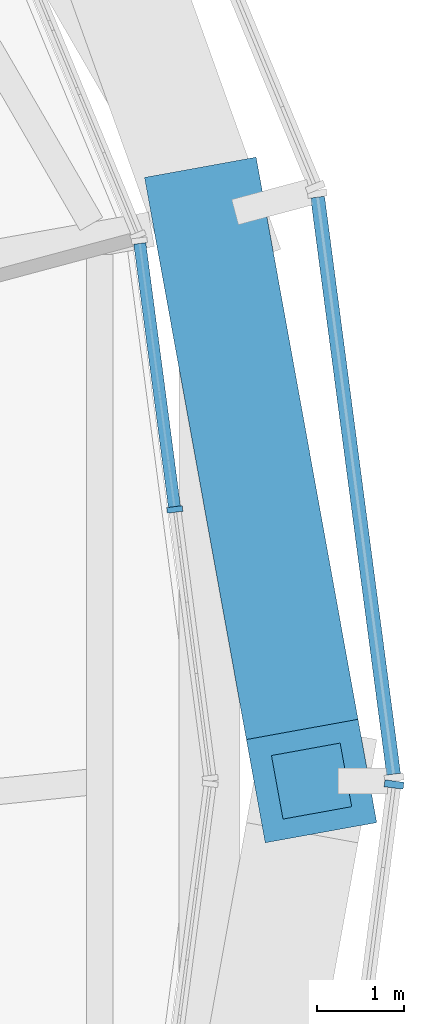
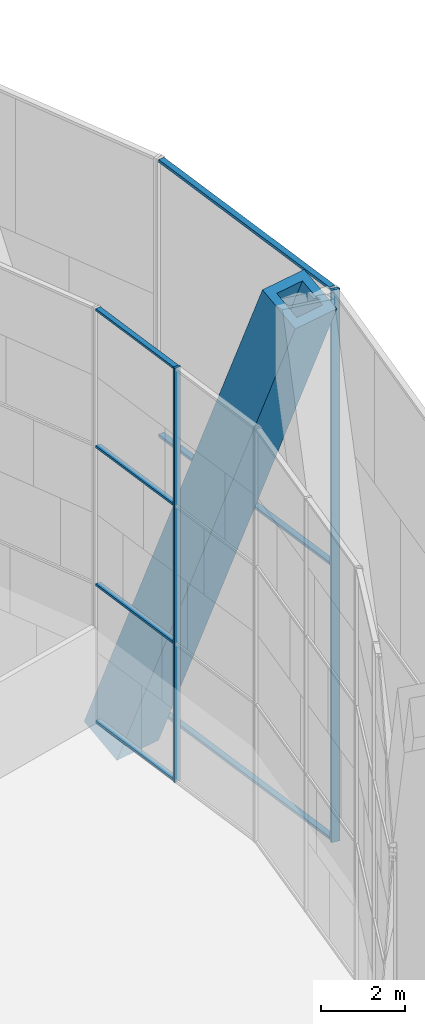
# One storey, part 6 of 26: 10 members, 3 elements without a shape of their own.
"""IFC4 building model written with IfcOpenShell, lengths in metres."""

import ifcopenshell
import ifcopenshell.guid

model = None  # the IFC model being written
_history = None  # IfcOwnerHistory: only IFC2X3 demands one
_inside = {}  # id of a spatial element -> (the spatial element, [elements in it])
_under = {}  # id of a project, library or spatial element -> (it, [spatial elements below it])
_declared = {}  # id of a project -> (the project, [libraries it declares])
_typed = {}  # id of a type object -> (the type object, [elements of that type])
_made_of = {}  # id of a material, layer set ... -> (it, [elements and type objects made of it])


def new_model(schema):
    """Start an empty IFC model of exactly this schema.

    Asked for "IFC4X3", IfcOpenShell would pick the latest addendum, in which some entities
    have other attributes; the version numbers below select the first issue.
    IFC2X3 requires an IfcOwnerHistory on every rooted entity: one is made here for all.
    """
    global model, _history
    if schema == "IFC4X3":
        model = ifcopenshell.file(schema_version=(4, 3, 0, 0))
    else:
        model = ifcopenshell.file(schema=schema)
    _inside.clear()
    _under.clear()
    _declared.clear()
    _typed.clear()
    _made_of.clear()
    _history = None
    if model.schema == "IFC2X3":
        org = make("IfcOrganization", Name="unknown")
        user = make(
            "IfcPersonAndOrganization",
            ThePerson=make("IfcPerson", FamilyName="unknown"),
            TheOrganization=org,
        )
        app = make(
            "IfcApplication",
            ApplicationDeveloper=org,
            Version="unknown",
            ApplicationFullName="unknown",
            ApplicationIdentifier="unknown",
        )
        _history = make(
            "IfcOwnerHistory",
            OwningUser=user,
            OwningApplication=app,
            ChangeAction="ADDED",
            CreationDate=0,
        )
    return model


def make(cls, **values):
    """One entity of the class cls with the attributes given. An attribute that is None is left unset."""
    return model.create_entity(
        cls, **{name: value for name, value in values.items() if value is not None}
    )


def rooted(cls, **values):
    """An entity with a GlobalId (a new one), such as an element, a storey or a relation."""
    return make(cls, GlobalId=ifcopenshell.guid.new(), OwnerHistory=_history, **values)


def si_unit(unit_type, name, prefix=None):
    """IfcSIUnit, for example si_unit("LENGTHUNIT", "METRE", prefix="MILLI")."""
    return make("IfcSIUnit", UnitType=unit_type, Prefix=prefix, Name=name)


def assignment(units):
    """IfcUnitAssignment: the units of a project."""
    return None if units is None else make("IfcUnitAssignment", Units=units)


def point(xyz):
    """IfcCartesianPoint."""
    return None if xyz is None else make("IfcCartesianPoint", Coordinates=xyz)


def direction(xyz):
    """IfcDirection."""
    return None if xyz is None else make("IfcDirection", DirectionRatios=xyz)


def frame(location, z_axis=None, x_axis=None):
    """IfcAxis2Placement3D, a coordinate frame: its origin and axes. An axis left out is left unset."""
    return make(
        "IfcAxis2Placement3D",
        Location=point(location),
        Axis=direction(z_axis),
        RefDirection=direction(x_axis),
    )


def frame_2d(location, x_axis=None):
    """IfcAxis2Placement2D, a coordinate frame in the plane: its origin and x axis."""
    return make(
        "IfcAxis2Placement2D", Location=point(location), RefDirection=direction(x_axis)
    )


def origin():
    """The frame at (0, 0, 0) with its axes left unset."""
    return frame((0.0, 0.0, 0.0))


def origin_2d():
    """The frame at (0, 0) in the plane with its x axis left unset."""
    return frame_2d((0.0, 0.0))


def place(relative_to, where):
    """IfcLocalPlacement: puts the frame where relative to a parent placement (None: the world)."""
    return make(
        "IfcLocalPlacement", PlacementRelTo=relative_to, RelativePlacement=where
    )


def context(
    kind, dimensions, precision=None, world=None, true_north=None, identifier=None
):
    """IfcGeometricRepresentationContext, for example the 3D "Model" context."""
    return make(
        "IfcGeometricRepresentationContext",
        ContextIdentifier=identifier,
        ContextType=kind,
        CoordinateSpaceDimension=dimensions,
        Precision=precision,
        WorldCoordinateSystem=world,
        TrueNorth=true_north,
    )


def subcontext(parent, identifier, kind, view, scale=None):
    """IfcGeometricRepresentationSubContext, for example "Body" below "Model"."""
    return make(
        "IfcGeometricRepresentationSubContext",
        ContextIdentifier=identifier,
        ContextType=kind,
        ParentContext=parent,
        TargetScale=scale,
        TargetView=view,
    )


def project(units=None, contexts=None):
    """IfcProject with its units and contexts."""
    return rooted(
        "IfcProject",
        Name="project",
        RepresentationContexts=contexts,
        UnitsInContext=assignment(units),
    )


def spatial(cls, under=None, at=None, **own):
    """A site, building, storey or space (cls), placed at a placement, below another one or the project."""
    s = rooted(cls, ObjectPlacement=at, **own)
    if under is not None:
        _under.setdefault(under.id(), (under, []))[1].append(s)
    return s


def profile(cls, at=None, kind="AREA", **sizes):
    """A parametric profile (cls). Its sizes go by their IFC names, for example OverallWidth=200.0."""
    return make(cls, ProfileType=kind, Position=at, **sizes)


def rectangle(**sizes):
    """IfcRectangleProfileDef."""
    return profile("IfcRectangleProfileDef", **sizes)


def hollow_rectangle(**sizes):
    """IfcRectangleHollowProfileDef."""
    return profile("IfcRectangleHollowProfileDef", **sizes)


def extrude(swept, where, along, depth):
    """IfcExtrudedAreaSolid: the profile swept, set in the frame where, extruded along a direction by depth."""
    return make(
        "IfcExtrudedAreaSolid",
        SweptArea=swept,
        Position=where,
        ExtrudedDirection=direction(along),
        Depth=depth,
    )


def shape(context_of_items, identifier, shape_type, items):
    """IfcShapeRepresentation: the items that make up one representation, for example the "Body"."""
    return make(
        "IfcShapeRepresentation",
        ContextOfItems=context_of_items,
        RepresentationIdentifier=identifier,
        RepresentationType=shape_type,
        Items=items,
    )


def material(Name=None, Category=None):
    """IfcMaterial."""
    return make("IfcMaterial", Name=Name, Category=Category)


def material_profile(
    of_material, cross_section, Name=None, Category=None, Priority=None
):
    """IfcMaterialProfile: a cross section and its material."""
    return make(
        "IfcMaterialProfile",
        Name=Name,
        Material=of_material,
        Profile=cross_section,
        Priority=Priority,
        Category=Category,
    )


def profile_set(profiles, Name=None, composite=None):
    """IfcMaterialProfileSet."""
    return make(
        "IfcMaterialProfileSet",
        Name=Name,
        MaterialProfiles=profiles,
        CompositeProfile=composite,
    )


def made_of(thing, what):
    """Note that an element or type object is made of a material, layer set ...; save() writes the relation."""
    if what is not None:
        _made_of.setdefault(what.id(), (what, []))[1].append(thing)
    return thing


def type_object(cls, material=None, **own):
    """A type object (cls), such as IfcWallType, which elements share."""
    return made_of(rooted(cls, **own), material)


def element(
    cls,
    number,
    at=None,
    inside=None,
    cuts=None,
    type_object=None,
    material=None,
    context=None,
    identifier="Body",
    shape_type=None,
    held_by="IfcProductDefinitionShape",
    body=None,
    shapes=None,
    **own,
):
    """One element of the class cls, such as IfcWall. Its Tag is "e" and its number.

    at: its placement. inside: the storey or other place that contains it. cuts: it is an
    opening in that element (IfcRelVoidsElement). A single representation is given by context,
    identifier, shape_type and body (its items); several are given by shapes. held_by: the class
    of the entity that holds the representations. save() writes the other relations.
    """
    e = rooted(cls, Tag="e%d" % number, ObjectPlacement=at, **own)
    if body is not None:
        shapes = [shape(context, identifier, shape_type, body)]
    if shapes is not None:
        e.Representation = make(held_by, Representations=shapes)
    if inside is not None:
        _inside.setdefault(inside.id(), (inside, []))[1].append(e)
    if cuts is not None:
        rooted(
            "IfcRelVoidsElement", RelatingBuildingElement=cuts, RelatedOpeningElement=e
        )
    if type_object is not None:
        _typed.setdefault(type_object.id(), (type_object, []))[1].append(e)
    return made_of(e, material)


def aggregate(whole, parts):
    """IfcRelAggregates: a whole, such as a stair, and the parts it consists of."""
    return rooted("IfcRelAggregates", RelatingObject=whole, RelatedObjects=parts)


def save(model, path):
    """Write the relations noted so far, then the file.

    IfcRelAggregates (storeys below a building ...), IfcRelContainedInSpatialStructure (elements
    in a storey), IfcRelDefinesByType, IfcRelAssociatesMaterial and IfcRelDeclares: one each for
    every whole, place, type object, material and project.
    """
    for whole, parts in _under.values():
        aggregate(whole, parts)
    for where, things in _inside.values():
        rooted(
            "IfcRelContainedInSpatialStructure",
            RelatedElements=things,
            RelatingStructure=where,
        )
    for kind, things in _typed.values():
        rooted("IfcRelDefinesByType", RelatedObjects=things, RelatingType=kind)
    for what, things in _made_of.values():
        rooted("IfcRelAssociatesMaterial", RelatedObjects=things, RelatingMaterial=what)
    for by, libraries in _declared.values():
        rooted("IfcRelDeclares", RelatingContext=by, RelatedDefinitions=libraries)
    model.write(path)


model = new_model("IFC4")

# Units and contexts
model_context = context("Model", 3, precision=1e-05, world=origin(), true_north=direction((0.0, 1.0)))
body_context = subcontext(model_context, "Body", "Model", "MODEL_VIEW")
ifc_project = project(units=[si_unit("LENGTHUNIT", "METRE"), si_unit("AREAUNIT", "SQUARE_METRE"), si_unit("VOLUMEUNIT", "CUBIC_METRE"), si_unit("PLANEANGLEUNIT", "RADIAN"), si_unit("MASSUNIT", "GRAM", prefix="KILO")], contexts=[model_context])

# Site, building, storey
site_placement = place(None, origin())
site = spatial("IfcSite", under=ifc_project, at=site_placement, CompositionType="ELEMENT")
building_placement = place(site_placement, origin())
building = spatial("IfcBuilding", under=site, at=building_placement, Name="Golbaran Civic Tower", CompositionType="ELEMENT")
storey_placement = place(building_placement, frame((0.0, 0.0, 69.0)))
storey = spatial("IfcBuildingStorey", under=building, at=storey_placement, Name="L16", CompositionType="ELEMENT", Elevation=69.0)

# Member
ifc_material_1 = material(Name="Steel S355", Category="steel")
ifc_material_profile_1 = material_profile(ifc_material_1, hollow_rectangle(XDim=1.300048828125, YDim=1.300048828125, WallThickness=0.25, at=origin_2d()), Name="BOX 1300x1300x250")
ifc_profile_set_1 = profile_set([ifc_material_profile_1], Name="Steel S355")
member_type_1 = type_object("IfcMemberType", Name="DIAGRID DIAGONAL BOX 1300x1300x250", PredefinedType="BRACE", material=ifc_profile_set_1)
member_1_placement = place(storey_placement, frame((24.04296875, 6.4423828125, -0.7099609375), z_axis=(0.067560240882, -0.372654606272, 0.925507513895), x_axis=(0.983960468528, 0.178386648531, 0.0)))
element("IfcMember", 1, at=member_1_placement, inside=storey, type_object=member_type_1, Name="Diagonal D03-00L L16-L20", PredefinedType="BRACE", context=body_context, shape_type="SweptSolid", body=[
    extrude(hollow_rectangle(XDim=1.300048828125, YDim=1.300048828125, WallThickness=0.25, at=origin_2d()), origin(), (0.0, 0.0, 1.0), 17.287841796875),
])

# Curtain wall, members
ifc_material_2 = material(Name="Aluminium and glass", Category="aluminium")
curtain_wall_type_1 = type_object("IfcCurtainWallType", Name="INNER SKIN CURTAIN WALL", PredefinedType="NOTDEFINED", material=ifc_material_2)
curtain_wall_1_placement = place(storey_placement, origin())
curtain_wall_1 = element("IfcCurtainWall", 2, at=curtain_wall_1_placement, inside=storey, type_object=curtain_wall_type_1, Name="Inner skin L16 facet 1 CW1", ObjectType="INNER SKIN", PredefinedType="USERDEFINED")
ifc_material_3 = material(Name="Aluminium", Category="aluminium")
ifc_material_profile_2 = material_profile(ifc_material_3, rectangle(XDim=0.179931640625, YDim=0.06494140625, at=origin_2d()), Name="INNER SKIN CURTAIN WALL MULLION")
ifc_profile_set_2 = profile_set([ifc_material_profile_2], Name="Aluminium")
member_type_2 = type_object("IfcMemberType", Name="INNER SKIN CURTAIN WALL MULLION", PredefinedType="MULLION", material=ifc_profile_set_2)
member_2_placement = place(storey_placement, frame((23.643310546875, 3.11279296875, 0.0), z_axis=(0.0, 0.0, 1.0), x_axis=(-0.991444861381, -0.130526192168, 0.0)))
member_2 = element("IfcMember", 3, at=member_2_placement, type_object=member_type_2, Name="CW1 mullion 2", PredefinedType="MULLION", context=body_context, shape_type="SweptSolid", body=[
    extrude(rectangle(XDim=0.179931640625, YDim=0.06494140625, at=origin_2d()), origin(), (0.0, 0.0, 1.0), 12.0),
])
ifc_material_profile_3 = material_profile(ifc_material_3, rectangle(XDim=0.139892578125, YDim=0.06494140625, at=origin_2d()), Name="INNER SKIN CURTAIN WALL TRANSOM")
ifc_profile_set_3 = profile_set([ifc_material_profile_3], Name="Aluminium")
member_type_3 = type_object("IfcMemberType", Name="INNER SKIN CURTAIN WALL TRANSOM", PredefinedType="USERDEFINED", material=ifc_profile_set_3)
member_3_placement = place(storey_placement, frame((23.638916015625, 3.14501953125, 0.032470703125), z_axis=(-0.130502263934, 0.991448011299, 0.0), x_axis=(-0.991448011299, -0.130502263934, 0.0)))
member_3 = element("IfcMember", 4, at=member_3_placement, type_object=member_type_3, Name="CW1 transom 2.1", ObjectType="TRANSOM", PredefinedType="USERDEFINED", context=body_context, shape_type="SweptSolid", body=[
    extrude(rectangle(XDim=0.139892578125, YDim=0.06494140625, at=origin_2d()), origin(), (0.0, 0.0, 1.0), 3.0419921875),
])
member_4_placement = place(storey_placement, frame((23.638916015625, 3.14501953125, 4.0), z_axis=(-0.130502263934, 0.991448011299, 0.0), x_axis=(-0.991448011299, -0.130502263934, 0.0)))
member_4 = element("IfcMember", 5, at=member_4_placement, type_object=member_type_3, Name="CW1 transom 2.2", ObjectType="TRANSOM", PredefinedType="USERDEFINED", context=body_context, shape_type="SweptSolid", body=[
    extrude(rectangle(XDim=0.139892578125, YDim=0.06494140625, at=origin_2d()), origin(), (0.0, 0.0, 1.0), 3.0419921875),
])
member_5_placement = place(storey_placement, frame((23.638916015625, 3.14501953125, 8.0), z_axis=(-0.130502263934, 0.991448011299, 0.0), x_axis=(-0.991448011299, -0.130502263934, 0.0)))
member_5 = element("IfcMember", 6, at=member_5_placement, type_object=member_type_3, Name="CW1 transom 2.3", ObjectType="TRANSOM", PredefinedType="USERDEFINED", context=body_context, shape_type="SweptSolid", body=[
    extrude(rectangle(XDim=0.139892578125, YDim=0.06494140625, at=origin_2d()), origin(), (0.0, 0.0, 1.0), 3.0419921875),
])
member_6_placement = place(storey_placement, frame((23.638916015625, 3.14501953125, 11.967529296875), z_axis=(-0.130502263934, 0.991448011299, 0.0), x_axis=(-0.991448011299, -0.130502263934, 0.0)))
member_6 = element("IfcMember", 7, at=member_6_placement, type_object=member_type_3, Name="CW1 transom 2.4", ObjectType="TRANSOM", PredefinedType="USERDEFINED", context=body_context, shape_type="SweptSolid", body=[
    extrude(rectangle(XDim=0.139892578125, YDim=0.06494140625, at=origin_2d()), origin(), (0.0, 0.0, 1.0), 3.0419921875),
])
aggregate(curtain_wall_1, [member_2, member_3, member_4, member_5, member_6])

# Curtain wall, member
curtain_wall_type_2 = type_object("IfcCurtainWallType", Name="OUTER SKIN TERRACOTTA SCREEN", PredefinedType="NOTDEFINED", material=ifc_material_2)
curtain_wall_2_placement = place(storey_placement, origin())
curtain_wall_2 = element("IfcCurtainWall", 8, at=curtain_wall_2_placement, inside=storey, type_object=curtain_wall_type_2, Name="Outer skin L16 facet 24 CW3", ObjectType="OUTER SKIN", PredefinedType="USERDEFINED")
ifc_material_profile_4 = material_profile(ifc_material_3, rectangle(XDim=0.219970703125, YDim=0.080078125, at=origin_2d()), Name="OUTER SKIN TERRACOTTA SCREEN MULLION")
ifc_profile_set_4 = profile_set([ifc_material_profile_4], Name="Aluminium")
member_type_4 = type_object("IfcMemberType", Name="OUTER SKIN TERRACOTTA SCREEN MULLION", PredefinedType="MULLION", material=ifc_profile_set_4)
member_7_placement = place(storey_placement, frame((26.15576171875, -0.03955078125, -0.7099609375), z_axis=(0.0, 0.0, 1.0), x_axis=(-0.991444861383, 0.130526192151, 0.0)))
member_7 = element("IfcMember", 9, at=member_7_placement, type_object=member_type_4, Name="CW3 mullion 2", PredefinedType="MULLION", context=body_context, shape_type="SweptSolid", body=[
    extrude(rectangle(XDim=0.219970703125, YDim=0.080078125, at=origin_2d()), origin(), (0.0, 0.0, 1.0), 16.0),
])
aggregate(curtain_wall_2, [member_7])

# Curtain wall, members
curtain_wall_3_placement = place(storey_placement, origin())
curtain_wall_3 = element("IfcCurtainWall", 10, at=curtain_wall_3_placement, inside=storey, type_object=curtain_wall_type_2, Name="Outer skin L16 facet 1 CW3", ObjectType="OUTER SKIN", PredefinedType="USERDEFINED")
ifc_material_profile_5 = material_profile(ifc_material_3, rectangle(XDim=0.159912109375, YDim=0.080078125, at=origin_2d()), Name="OUTER SKIN TERRACOTTA SCREEN TRANSOM")
ifc_profile_set_5 = profile_set([ifc_material_profile_5], Name="Aluminium")
member_type_5 = type_object("IfcMemberType", Name="OUTER SKIN TERRACOTTA SCREEN TRANSOM", PredefinedType="USERDEFINED", material=ifc_profile_set_5)
member_8_placement = place(storey_placement, frame((26.150634765625, 0.079345703125, -0.669921875), z_axis=(-0.130537841761, 0.991443327613, 0.0), x_axis=(-0.991443327613, -0.130537841761, 0.0)))
member_8 = element("IfcMember", 11, at=member_8_placement, type_object=member_type_5, Name="CW3 transom 1.1", ObjectType="TRANSOM", PredefinedType="USERDEFINED", context=body_context, shape_type="SweptSolid", body=[
    extrude(rectangle(XDim=0.159912109375, YDim=0.080078125, at=origin_2d()), origin(), (0.0, 0.0, 1.0), 6.66943359375),
])
member_9_placement = place(storey_placement, frame((26.150634765625, 0.079345703125, 7.2900390625), z_axis=(-0.130537841761, 0.991443327613, 0.0), x_axis=(-0.991443327613, -0.130537841761, 0.0)))
member_9 = element("IfcMember", 12, at=member_9_placement, type_object=member_type_5, Name="CW3 transom 1.2", ObjectType="TRANSOM", PredefinedType="USERDEFINED", context=body_context, shape_type="SweptSolid", body=[
    extrude(rectangle(XDim=0.159912109375, YDim=0.080078125, at=origin_2d()), origin(), (0.0, 0.0, 1.0), 6.66943359375),
])
member_10_placement = place(storey_placement, frame((26.150634765625, 0.079345703125, 15.25), z_axis=(-0.130537841761, 0.991443327613, 0.0), x_axis=(-0.991443327613, -0.130537841761, 0.0)))
member_10 = element("IfcMember", 13, at=member_10_placement, type_object=member_type_5, Name="CW3 transom 1.3", ObjectType="TRANSOM", PredefinedType="USERDEFINED", context=body_context, shape_type="SweptSolid", body=[
    extrude(rectangle(XDim=0.159912109375, YDim=0.080078125, at=origin_2d()), origin(), (0.0, 0.0, 1.0), 6.66943359375),
])
aggregate(curtain_wall_3, [member_8, member_9, member_10])

save(model, "model.ifc")
